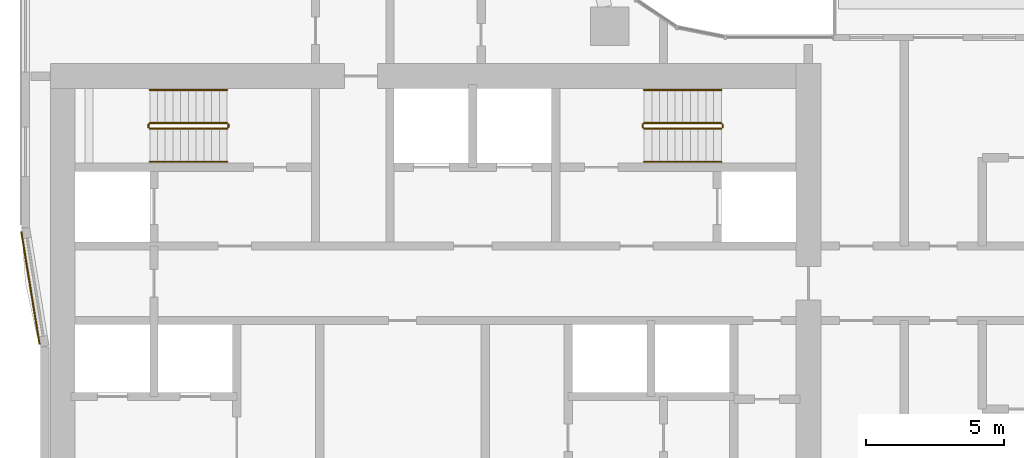
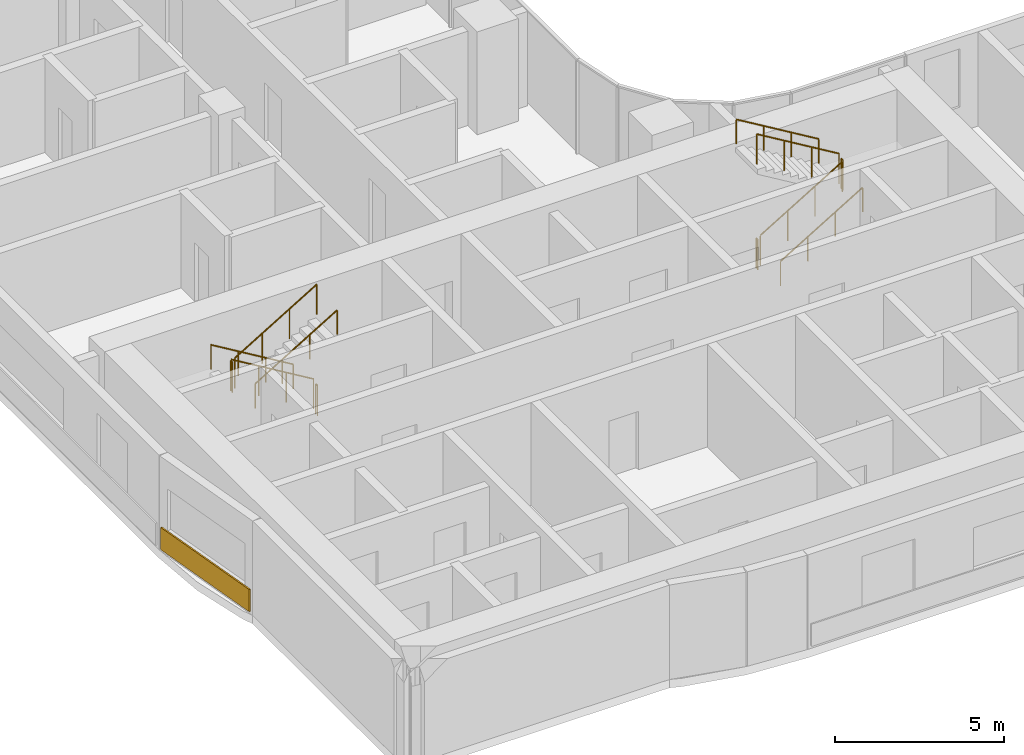
# One storey, part 26 of 31: 12 railings, 1 covering.
"""IFC4 building model written with IfcOpenShell, lengths in metres."""

from ifc_helpers import new_model, si_unit, direction, frame, origin, origin_2d, place, context, subcontext, project, spatial, rectangle, circle, extrude, material, layer, layer_set, type_object, element, save


model = new_model("IFC4")

# Units and contexts
model_context = context("Model", 3, precision=1e-05, world=origin(), true_north=direction((0.0, 1.0)))
body_context = subcontext(model_context, "Body", "Model", "MODEL_VIEW")
ifc_project = project(units=[si_unit("LENGTHUNIT", "METRE"), si_unit("AREAUNIT", "SQUARE_METRE"), si_unit("VOLUMEUNIT", "CUBIC_METRE"), si_unit("PLANEANGLEUNIT", "RADIAN"), si_unit("MASSUNIT", "GRAM", prefix="KILO")], contexts=[model_context])

# Site, building, storey
site_placement = place(None, origin())
site = spatial("IfcSite", under=ifc_project, at=site_placement, CompositionType="ELEMENT")
building_placement = place(site_placement, origin())
building = spatial("IfcBuilding", under=site, at=building_placement, Name="Ogive Portal Towers", CompositionType="ELEMENT")
storey_placement = place(building_placement, frame((0.0, 0.0, 74.199951171875)))
storey = spatial("IfcBuildingStorey", under=building, at=storey_placement, Name="L17", CompositionType="ELEMENT", Elevation=74.199951171875)

# Railings
ifc_material_1 = material(Name="Stainless steel balustrade", Category="steel")
railing_type_1 = type_object("IfcRailingType", Name="INT-GUARD", PredefinedType="GUARDRAIL", material=ifc_material_1)
railing_1_placement = place(storey_placement, frame((37.449951171875, 37.800048828125, 0.168212890625)))
element("IfcRailing", 1, at=railing_1_placement, inside=storey, type_object=railing_type_1, Name="L17 ST-A1 stair guard 1", PredefinedType="GUARDRAIL", context=body_context, shape_type="SweptSolid", body=[
    extrude(circle(Radius=0.02392578125, at=origin_2d()), frame((0.0, 0.0, 1.076171875), z_axis=(-0.857242210791, 0.0, 0.514913383045), x_axis=(0.0, -1.0, 0.0)), (0.0, 0.0, 1.0), 3.266357421875),
    extrude(circle(Radius=0.02099609375, at=origin_2d()), origin(), (0.0, 0.0, 1.0), 1.052001953125),
    extrude(circle(Radius=0.02099609375, at=origin_2d()), frame((-0.933349609375, 0.0, 0.560546875)), (0.0, 0.0, 1.0), 1.052001953125),
    extrude(circle(Radius=0.02099609375, at=origin_2d()), frame((-1.86669921875, 0.0, 1.121337890625)), (0.0, 0.0, 1.0), 1.052001953125),
    extrude(circle(Radius=0.02099609375, at=origin_2d()), frame((-2.800048828125, 0.0, 1.681884765625)), (0.0, 0.0, 1.0), 1.052001953125),
])
railing_2_placement = place(storey_placement, frame((34.60009765625, 37.75, 1.85009765625)))
element("IfcRailing", 2, at=railing_2_placement, inside=storey, type_object=railing_type_1, Name="L17 ST-A1 stair guard 2", PredefinedType="GUARDRAIL", context=body_context, shape_type="SweptSolid", body=[
    extrude(circle(Radius=0.02392578125, at=origin_2d()), frame((0.0, 0.0, 1.076171875), z_axis=(0.0, -1.0, 0.0), x_axis=(1.0, 0.0, 0.0)), (0.0, 0.0, 1.0), 0.10009765625),
    extrude(circle(Radius=0.02099609375, at=origin_2d()), origin(), (0.0, 0.0, 1.0), 1.052001953125),
    extrude(circle(Radius=0.02099609375, at=origin_2d()), frame((0.0, -0.10009765625, 0.0)), (0.0, 0.0, 1.0), 1.052001953125),
])
railing_3_placement = place(storey_placement, frame((34.64990234375, 37.60009765625, 2.018310546875)))
element("IfcRailing", 3, at=railing_3_placement, inside=storey, type_object=railing_type_1, Name="L17 ST-A1 stair guard 3", PredefinedType="GUARDRAIL", context=body_context, shape_type="SweptSolid", body=[
    extrude(circle(Radius=0.02392578125, at=origin_2d()), frame((0.0, 0.0, 1.076171875), z_axis=(0.857275202839, 0.0, 0.514858452973), x_axis=(0.0, 1.0, 0.0)), (0.0, 0.0, 1.0), 3.26611328125),
    extrude(circle(Radius=0.02099609375, at=origin_2d()), origin(), (0.0, 0.0, 1.0), 1.052001953125),
    extrude(circle(Radius=0.02099609375, at=origin_2d()), frame((0.933349609375, 0.0, 0.560546875)), (0.0, 0.0, 1.0), 1.052001953125),
    extrude(circle(Radius=0.02099609375, at=origin_2d()), frame((1.86669921875, 0.0, 1.12109375)), (0.0, 0.0, 1.0), 1.052001953125),
    extrude(circle(Radius=0.02099609375, at=origin_2d()), frame((2.800048828125, 0.0, 1.681640625)), (0.0, 0.0, 1.0), 1.052001953125),
])
railing_4_placement = place(storey_placement, frame((37.5, 37.75, 0.0)))
element("IfcRailing", 4, at=railing_4_placement, inside=storey, type_object=railing_type_1, Name="L17 ST-A1 stair guard 4", PredefinedType="GUARDRAIL", context=body_context, shape_type="SweptSolid", body=[
    extrude(circle(Radius=0.02392578125, at=origin_2d()), frame((0.0, 0.0, 1.076171875), z_axis=(0.0, -1.0, 0.0), x_axis=(1.0, 0.0, 0.0)), (0.0, 0.0, 1.0), 0.10009765625),
    extrude(circle(Radius=0.02099609375, at=origin_2d()), origin(), (0.0, 0.0, 1.0), 1.052001953125),
    extrude(circle(Radius=0.02099609375, at=origin_2d()), frame((0.0, -0.10009765625, 0.0)), (0.0, 0.0, 1.0), 1.052001953125),
])
railing_5_placement = place(storey_placement, frame((52.550048828125, 37.60009765625, 0.168212890625)))
element("IfcRailing", 5, at=railing_5_placement, inside=storey, type_object=railing_type_1, Name="L17 ST-A2 stair guard 1", PredefinedType="GUARDRAIL", context=body_context, shape_type="SweptSolid", body=[
    extrude(circle(Radius=0.02392578125, at=origin_2d()), frame((0.0, 0.0, 1.076171875), z_axis=(0.857242210791, 0.0, 0.514913383045), x_axis=(0.0, 1.0, 0.0)), (0.0, 0.0, 1.0), 3.266357421875),
    extrude(circle(Radius=0.02099609375, at=origin_2d()), origin(), (0.0, 0.0, 1.0), 1.052001953125),
    extrude(circle(Radius=0.02099609375, at=origin_2d()), frame((0.933349609375, 0.0, 0.560546875)), (0.0, 0.0, 1.0), 1.052001953125),
    extrude(circle(Radius=0.02099609375, at=origin_2d()), frame((1.86669921875, 0.0, 1.121337890625)), (0.0, 0.0, 1.0), 1.052001953125),
    extrude(circle(Radius=0.02099609375, at=origin_2d()), frame((2.800048828125, 0.0, 1.681884765625)), (0.0, 0.0, 1.0), 1.052001953125),
])
railing_6_placement = place(storey_placement, frame((55.39990234375, 37.64990234375, 1.85009765625)))
element("IfcRailing", 6, at=railing_6_placement, inside=storey, type_object=railing_type_1, Name="L17 ST-A2 stair guard 2", PredefinedType="GUARDRAIL", context=body_context, shape_type="SweptSolid", body=[
    extrude(circle(Radius=0.02392578125, at=origin_2d()), frame((0.0, 0.0, 1.076171875), z_axis=(0.0, 1.0, 0.0), x_axis=(-1.0, 0.0, 0.0)), (0.0, 0.0, 1.0), 0.10009765625),
    extrude(circle(Radius=0.02099609375, at=origin_2d()), origin(), (0.0, 0.0, 1.0), 1.052001953125),
    extrude(circle(Radius=0.02099609375, at=origin_2d()), frame((0.0, 0.10009765625, 0.0)), (0.0, 0.0, 1.0), 1.052001953125),
])
railing_7_placement = place(storey_placement, frame((55.35009765625, 37.800048828125, 2.018310546875)))
element("IfcRailing", 7, at=railing_7_placement, inside=storey, type_object=railing_type_1, Name="L17 ST-A2 stair guard 3", PredefinedType="GUARDRAIL", context=body_context, shape_type="SweptSolid", body=[
    extrude(circle(Radius=0.02392578125, at=origin_2d()), frame((0.0, 0.0, 1.076171875), z_axis=(-0.857275202839, 0.0, 0.514858452973), x_axis=(0.0, -1.0, 0.0)), (0.0, 0.0, 1.0), 3.26611328125),
    extrude(circle(Radius=0.02099609375, at=origin_2d()), origin(), (0.0, 0.0, 1.0), 1.052001953125),
    extrude(circle(Radius=0.02099609375, at=origin_2d()), frame((-0.933349609375, 0.0, 0.560546875)), (0.0, 0.0, 1.0), 1.052001953125),
    extrude(circle(Radius=0.02099609375, at=origin_2d()), frame((-1.86669921875, 0.0, 1.12109375)), (0.0, 0.0, 1.0), 1.052001953125),
    extrude(circle(Radius=0.02099609375, at=origin_2d()), frame((-2.800048828125, 0.0, 1.681640625)), (0.0, 0.0, 1.0), 1.052001953125),
])
railing_8_placement = place(storey_placement, frame((52.5, 37.64990234375, 0.0)))
element("IfcRailing", 8, at=railing_8_placement, inside=storey, type_object=railing_type_1, Name="L17 ST-A2 stair guard 4", PredefinedType="GUARDRAIL", context=body_context, shape_type="SweptSolid", body=[
    extrude(circle(Radius=0.02392578125, at=origin_2d()), frame((0.0, 0.0, 1.076171875), z_axis=(0.0, 1.0, 0.0), x_axis=(-1.0, 0.0, 0.0)), (0.0, 0.0, 1.0), 0.10009765625),
    extrude(circle(Radius=0.02099609375, at=origin_2d()), origin(), (0.0, 0.0, 1.0), 1.052001953125),
    extrude(circle(Radius=0.02099609375, at=origin_2d()), frame((0.0, 0.10009765625, 0.0)), (0.0, 0.0, 1.0), 1.052001953125),
])
ifc_material_2 = material(Name="Stainless steel handrail", Category="steel")
railing_type_2 = type_object("IfcRailingType", Name="INT-HANDRAIL", PredefinedType="HANDRAIL", material=ifc_material_2)
railing_9_placement = place(storey_placement, frame((37.449951171875, 39.0, 0.168212890625)))
element("IfcRailing", 9, at=railing_9_placement, inside=storey, type_object=railing_type_2, Name="L17 ST-A1 stair handrail 1", PredefinedType="HANDRAIL", context=body_context, shape_type="SweptSolid", body=[
    extrude(circle(Radius=0.02392578125, at=origin_2d()), frame((0.0, 0.0, 0.8759765625), z_axis=(-0.857242210791, 0.0, 0.514913383045), x_axis=(0.0, -1.0, 0.0)), (0.0, 0.0, 1.0), 3.266357421875),
    extrude(circle(Radius=0.02099609375, at=origin_2d()), origin(), (0.0, 0.0, 1.0), 0.851806640625),
    extrude(circle(Radius=0.02099609375, at=origin_2d()), frame((-0.933349609375, 0.0, 0.560546875)), (0.0, 0.0, 1.0), 0.851806640625),
    extrude(circle(Radius=0.02099609375, at=origin_2d()), frame((-1.86669921875, 0.0, 1.121337890625)), (0.0, 0.0, 1.0), 0.851806640625),
    extrude(circle(Radius=0.02099609375, at=origin_2d()), frame((-2.800048828125, 0.0, 1.681884765625)), (0.0, 0.0, 1.0), 0.851806640625),
])
railing_10_placement = place(storey_placement, frame((34.64990234375, 36.39990234375, 2.018310546875)))
element("IfcRailing", 10, at=railing_10_placement, inside=storey, type_object=railing_type_2, Name="L17 ST-A1 stair handrail 2", PredefinedType="HANDRAIL", context=body_context, shape_type="SweptSolid", body=[
    extrude(circle(Radius=0.02392578125, at=origin_2d()), frame((0.0, 0.0, 0.8759765625), z_axis=(0.857275202839, 0.0, 0.514858452973), x_axis=(0.0, 1.0, 0.0)), (0.0, 0.0, 1.0), 3.26611328125),
    extrude(circle(Radius=0.02099609375, at=origin_2d()), origin(), (0.0, 0.0, 1.0), 0.851806640625),
    extrude(circle(Radius=0.02099609375, at=origin_2d()), frame((0.933349609375, 0.0, 0.560546875)), (0.0, 0.0, 1.0), 0.851806640625),
    extrude(circle(Radius=0.02099609375, at=origin_2d()), frame((1.86669921875, 0.0, 1.12109375)), (0.0, 0.0, 1.0), 0.851806640625),
    extrude(circle(Radius=0.02099609375, at=origin_2d()), frame((2.800048828125, 0.0, 1.681640625)), (0.0, 0.0, 1.0), 0.851806640625),
])
railing_11_placement = place(storey_placement, frame((52.550048828125, 36.39990234375, 0.168212890625)))
element("IfcRailing", 11, at=railing_11_placement, inside=storey, type_object=railing_type_2, Name="L17 ST-A2 stair handrail 1", PredefinedType="HANDRAIL", context=body_context, shape_type="SweptSolid", body=[
    extrude(circle(Radius=0.02392578125, at=origin_2d()), frame((0.0, 0.0, 0.8759765625), z_axis=(0.857242210791, 0.0, 0.514913383045), x_axis=(0.0, 1.0, 0.0)), (0.0, 0.0, 1.0), 3.266357421875),
    extrude(circle(Radius=0.02099609375, at=origin_2d()), origin(), (0.0, 0.0, 1.0), 0.851806640625),
    extrude(circle(Radius=0.02099609375, at=origin_2d()), frame((0.933349609375, 0.0, 0.560546875)), (0.0, 0.0, 1.0), 0.851806640625),
    extrude(circle(Radius=0.02099609375, at=origin_2d()), frame((1.86669921875, 0.0, 1.121337890625)), (0.0, 0.0, 1.0), 0.851806640625),
    extrude(circle(Radius=0.02099609375, at=origin_2d()), frame((2.800048828125, 0.0, 1.681884765625)), (0.0, 0.0, 1.0), 0.851806640625),
])
railing_12_placement = place(storey_placement, frame((55.35009765625, 39.0, 2.018310546875)))
element("IfcRailing", 12, at=railing_12_placement, inside=storey, type_object=railing_type_2, Name="L17 ST-A2 stair handrail 2", PredefinedType="HANDRAIL", context=body_context, shape_type="SweptSolid", body=[
    extrude(circle(Radius=0.02392578125, at=origin_2d()), frame((0.0, 0.0, 0.8759765625), z_axis=(-0.857275202839, 0.0, 0.514858452973), x_axis=(0.0, -1.0, 0.0)), (0.0, 0.0, 1.0), 3.26611328125),
    extrude(circle(Radius=0.02099609375, at=origin_2d()), origin(), (0.0, 0.0, 1.0), 0.851806640625),
    extrude(circle(Radius=0.02099609375, at=origin_2d()), frame((-0.933349609375, 0.0, 0.560546875)), (0.0, 0.0, 1.0), 0.851806640625),
    extrude(circle(Radius=0.02099609375, at=origin_2d()), frame((-1.86669921875, 0.0, 1.12109375)), (0.0, 0.0, 1.0), 0.851806640625),
    extrude(circle(Radius=0.02099609375, at=origin_2d()), frame((-2.800048828125, 0.0, 1.681640625)), (0.0, 0.0, 1.0), 0.851806640625),
])

# Covering
ifc_material_3 = material(Name="Limestone cladding on lightweight block wall", Category="masonry")
ifc_layer = layer(ifc_material_3, 0.050048828125)
ifc_layer_set = layer_set([ifc_layer], Name="SCREEN PERFORATED STONE")
covering_type = type_object("IfcCoveringType", Name="SCREEN PERFORATED STONE", PredefinedType="CLADDING", material=ifc_layer_set)
covering_placement = place(storey_placement, frame((30.327392578125, 31.833740234375, 0.10009765625), z_axis=(0.0, 0.0, 1.0), x_axis=(0.160654533408, -0.987010699484, 0.0)))
element("IfcCovering", 13, at=covering_placement, inside=storey, type_object=covering_type, Name="Tracery screen", PredefinedType="CLADDING", context=body_context, shape_type="SweptSolid", body=[
    extrude(rectangle(XDim=4.1328125, YDim=0.050048828125, at=origin_2d()), origin(), (0.0, 0.0, 1.0), 0.800048828125),
])

save(model, "model.ifc")
